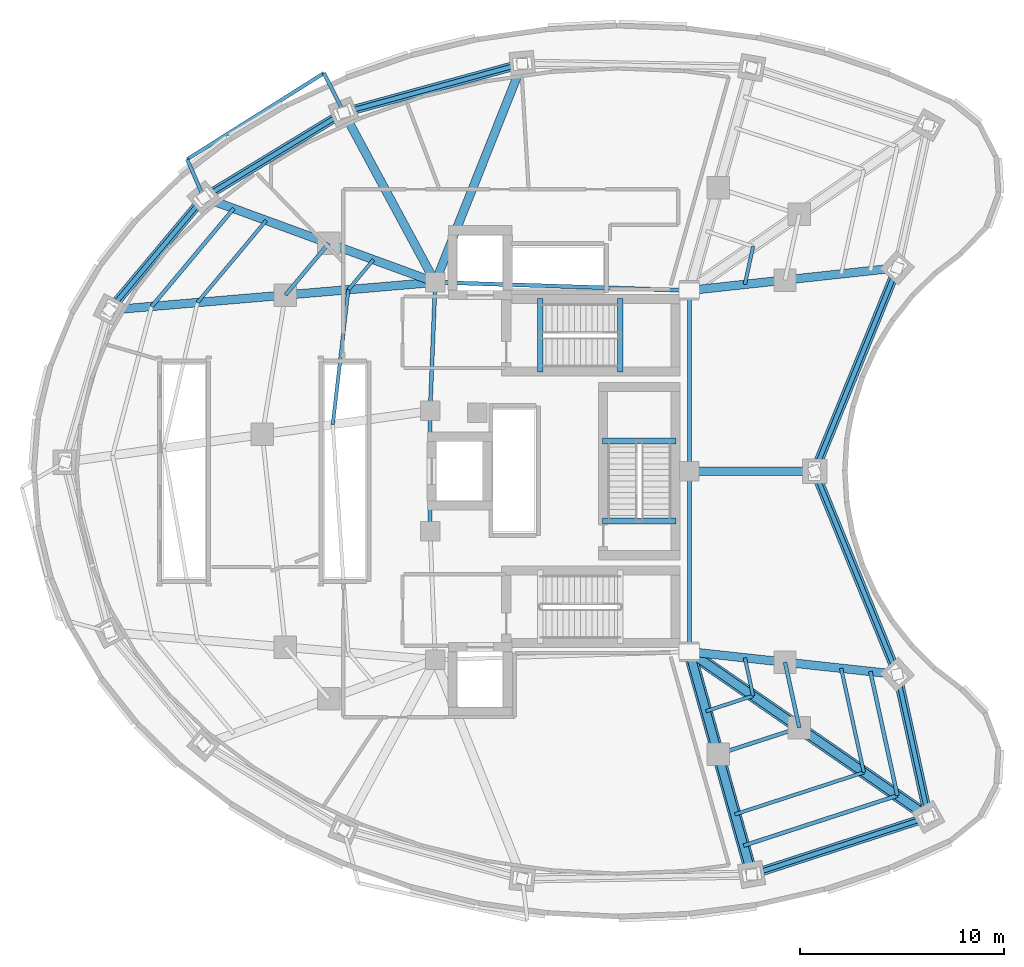
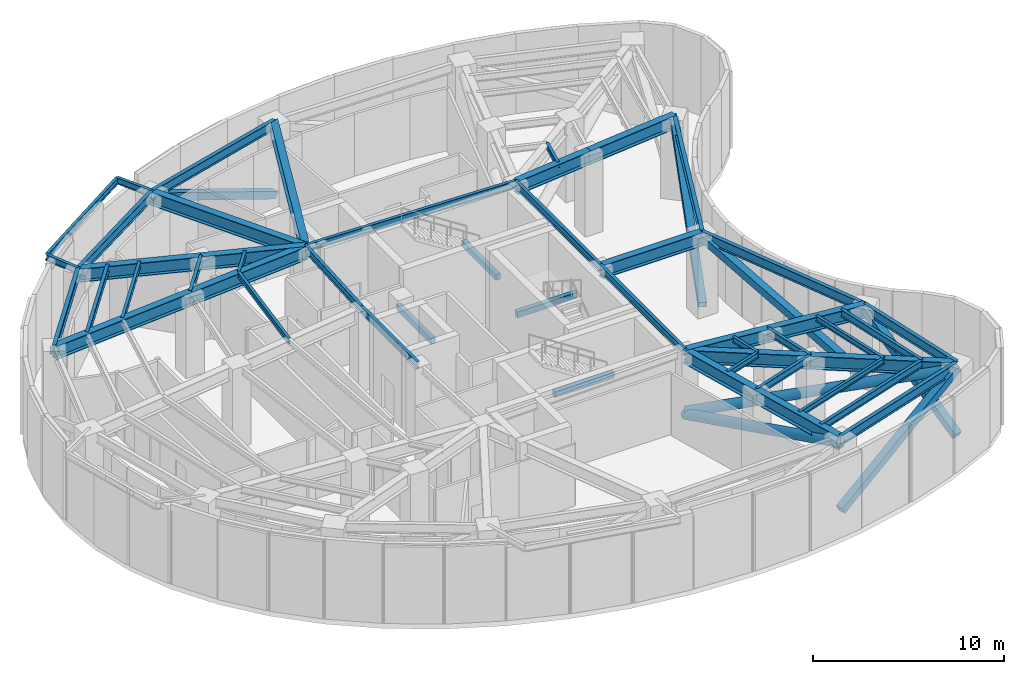
# One storey, part 2 of 10: 48 beams, 9 members.
"""IFC4 building model written with IfcOpenShell, lengths in metres."""

from ifc_helpers import new_model, si_unit, direction, frame, origin, origin_2d, place, context, subcontext, project, spatial, rectangle, hollow_rectangle, hollow_circle, i_section, extrude, material, material_profile, profile_set, type_object, element, save


model = new_model("IFC4")

# Units and contexts
model_context = context("Model", 3, precision=1e-05, world=origin(), true_north=direction((0.0, 1.0)))
body_context = subcontext(model_context, "Body", "Model", "MODEL_VIEW")
ifc_project = project(units=[si_unit("LENGTHUNIT", "METRE"), si_unit("AREAUNIT", "SQUARE_METRE"), si_unit("VOLUMEUNIT", "CUBIC_METRE"), si_unit("PLANEANGLEUNIT", "RADIAN"), si_unit("MASSUNIT", "GRAM", prefix="KILO")], contexts=[model_context])

# Site, building, storey
site_placement = place(None, origin())
site = spatial("IfcSite", under=ifc_project, at=site_placement, CompositionType="ELEMENT")
building_placement = place(site_placement, origin())
building = spatial("IfcBuilding", under=site, at=building_placement, Name="Korentha Bioscience Tower", CompositionType="ELEMENT")
storey_placement = place(building_placement, frame((0.0, 0.0, 84.60009765625)))
storey = spatial("IfcBuildingStorey", under=building, at=storey_placement, Name="L19", CompositionType="ELEMENT", Elevation=84.60009765625)

# Members
ifc_material_1 = material(Name="Steel S355", Category="steel")
ifc_material_profile_1 = material_profile(ifc_material_1, hollow_rectangle(XDim=0.449951171875, YDim=0.449951171875, WallThickness=0.02490234375, at=origin_2d()), Name="Steel S355")
ifc_profile_set_1 = profile_set([ifc_material_profile_1], Name="Steel S355 (BT-D450)")
member_type_1 = type_object("IfcMemberType", Name="Belt-Truss Web Diagonal SHS 450x450x25", PredefinedType="BRACE", material=ifc_profile_set_1)
member_1_placement = place(storey_placement, frame((29.3642578125, 46.959228515625, 0.349853515625), z_axis=(-0.867913883916, -0.23707366715, 0.436487762084), x_axis=(0.263500034431, -0.964659386444, 0.0)))
element("IfcMember", 1, at=member_1_placement, inside=storey, type_object=member_type_1, Name="L19 Perimeter Belt-Truss Diagonal 03", PredefinedType="BRACE", context=body_context, shape_type="SweptSolid", body=[
    extrude(hollow_rectangle(XDim=0.449951171875, YDim=0.449951171875, WallThickness=0.02490234375, at=origin_2d()), origin(), (0.0, 0.0, 1.0), 10.080810546875),
])
member_2_placement = place(storey_placement, frame((20.614990234375, 44.5693359375, 0.349853515625), z_axis=(-0.749231248475, -0.455535373312, 0.480770277753), x_axis=(0.51951547649, -0.854461040474, 0.0)))
element("IfcMember", 2, at=member_2_placement, inside=storey, type_object=member_type_1, Name="L19 Perimeter Belt-Truss Diagonal 04", PredefinedType="BRACE", context=body_context, shape_type="SweptSolid", body=[
    extrude(hollow_rectangle(XDim=0.449951171875, YDim=0.449951171875, WallThickness=0.02490234375, at=origin_2d()), origin(), (0.0, 0.0, 1.0), 9.15234375),
])
member_3_placement = place(storey_placement, frame((13.7578125, 40.400146484375, 0.349853515625), z_axis=(-0.547672875335, -0.653835729733, 0.522066336921), x_axis=(0.76659864726, -0.642126556076, 0.0)))
element("IfcMember", 3, at=member_3_placement, inside=storey, type_object=member_type_1, Name="L19 Perimeter Belt-Truss Diagonal 05", PredefinedType="BRACE", context=body_context, shape_type="SweptSolid", body=[
    extrude(hollow_rectangle(XDim=0.449951171875, YDim=0.449951171875, WallThickness=0.02490234375, at=origin_2d()), origin(), (0.0, 0.0, 1.0), 8.42822265625),
])
member_4_placement = place(storey_placement, frame((40.604248046875, 7.235107421875, 0.349853515625), z_axis=(0.856076773076, 0.278733902644, 0.435247021951), x_axis=(-0.309597327755, 0.950867758759, 0.0)))
element("IfcMember", 4, at=member_4_placement, inside=storey, type_object=member_type_1, Name="L19 Perimeter Belt-Truss Diagonal 12", PredefinedType="BRACE", context=body_context, shape_type="SweptSolid", body=[
    extrude(hollow_rectangle(XDim=0.449951171875, YDim=0.449951171875, WallThickness=0.02490234375, at=origin_2d()), origin(), (0.0, 0.0, 1.0), 10.109619140625),
])
member_5_placement = place(storey_placement, frame((49.2587890625, 10.052978515625, 0.349853515625), z_axis=(-0.181348517584, 0.832162028739, 0.524041098671), x_axis=(-0.977068088275, -0.212927102256, 0.0)))
element("IfcMember", 5, at=member_5_placement, inside=storey, type_object=member_type_1, Name="L19 Perimeter Belt-Truss Diagonal 13", PredefinedType="BRACE", context=body_context, shape_type="SweptSolid", body=[
    extrude(hollow_rectangle(XDim=0.449951171875, YDim=0.449951171875, WallThickness=0.02490234375, at=origin_2d()), origin(), (0.0, 0.0, 1.0), 8.396484375),
])
for number, where, z_axis, x_axis, name in (
    (6, (47.736083984375, 17.040283203125, 0.349853515625), (-0.349011766109, 0.857190547768, 0.378701930198), (-0.926173134876, -0.37709856037, 0.0), "L19 Perimeter Belt-Truss Diagonal 14"),
    (7, (43.680908203125, 27.0, 0.349853515625), (0.349011766109, 0.857190547768, 0.378701930198), (-0.926173134876, 0.37709856037, 0.0), "L19 Perimeter Belt-Truss Diagonal 15"),
):
    element("IfcMember", number, at=place(storey_placement, frame(where, z_axis=z_axis, x_axis=x_axis)), inside=storey, type_object=member_type_1, Name=name, PredefinedType="BRACE", context=body_context, shape_type="SweptSolid", body=[
        extrude(hollow_rectangle(XDim=0.449951171875, YDim=0.449951171875, WallThickness=0.02490234375, at=origin_2d()), origin(), (0.0, 0.0, 1.0), 11.619140625),
    ])

# Beams
ifc_material_2 = material(Name="Concrete C50", Category="concrete")
ifc_material_profile_2 = material_profile(ifc_material_2, rectangle(XDim=0.280029296875, YDim=0.3798828125, at=origin_2d()), Name="Concrete C50")
ifc_profile_set_2 = profile_set([ifc_material_profile_2], Name="Concrete C50 (ST-HB380)")
beam_type_1 = type_object("IfcBeamType", Name="Concrete Stair Header Beam RC 280x380", PredefinedType="BEAM", material=ifc_profile_set_2)
for number, where, z_axis, x_axis, name in (
    (8, (30.25, 31.85009765625, -0.190185546875), (0.0, 1.0, 0.0), (-1.0, 0.0, 0.0), "L19 ST-1 Concrete Stair Header Beam"),
    (9, (34.169921875, 31.85009765625, 2.510009765625), (0.0, 1.0, 0.0), (-1.0, 0.0, 0.0), "L19 ST-1 Half-Landing Header Beam 1"),
    (10, (36.89990234375, 24.550048828125, -0.190185546875), (-1.0, 0.0, 0.0), (0.0, -1.0, 0.0), "L19 ST-3 Concrete Stair Header Beam"),
    (11, (36.89990234375, 28.469970703125, 2.510009765625), (-1.0, 0.0, 0.0), (0.0, -1.0, 0.0), "L19 ST-3 Half-Landing Header Beam 1"),
):
    element("IfcBeam", number, at=place(storey_placement, frame(where, z_axis=z_axis, x_axis=x_axis)), inside=storey, type_object=beam_type_1, Name=name, PredefinedType="BEAM", context=body_context, shape_type="SweptSolid", body=[
        extrude(rectangle(XDim=0.280029296875, YDim=0.3798828125, at=origin_2d()), origin(), (0.0, 0.0, 1.0), 3.599853515625),
    ])
ifc_material_profile_3 = material_profile(ifc_material_1, i_section(OverallWidth=0.18994140625, OverallDepth=0.45703125, WebThickness=0.009033203125, FlangeThickness=0.014404296875, at=origin_2d()), Name="Steel S355")
ifc_profile_set_3 = profile_set([ifc_material_profile_3], Name="Steel S355 (MB-460)")
beam_type_2 = type_object("IfcBeamType", Name="Mid-Ring Tie Girder W460x74", PredefinedType="BEAM", material=ifc_profile_set_3)
beam_1_placement = place(storey_placement, frame((19.882568359375, 38.158935546875, 4.871337890625), z_axis=(-0.642121371708, -0.766602989817, 0.0), x_axis=(0.766602989817, -0.642121371708, 0.0)))
element("IfcBeam", 12, at=beam_1_placement, inside=storey, type_object=beam_type_2, Name="L19 Mid-Ring Tie Girder 05", PredefinedType="BEAM", context=body_context, shape_type="SweptSolid", body=[
    extrude(i_section(OverallWidth=0.18994140625, OverallDepth=0.45703125, WebThickness=0.009033203125, FlangeThickness=0.014404296875, at=origin_2d()), origin(), (0.0, 0.0, 1.0), 3.306640625),
])
beam_2_placement = place(storey_placement, frame((38.954833984375, 13.129150390625, 4.871337890625), z_axis=(0.95087582253, 0.309572560361, 0.0), x_axis=(-0.309572560361, 0.95087582253, 0.0)))
element("IfcBeam", 13, at=beam_2_placement, inside=storey, type_object=beam_type_2, Name="L19 Mid-Ring Tie Girder 12", PredefinedType="BEAM", context=body_context, shape_type="SweptSolid", body=[
    extrude(i_section(OverallWidth=0.18994140625, OverallDepth=0.45703125, WebThickness=0.009033203125, FlangeThickness=0.014404296875, at=origin_2d()), origin(), (0.0, 0.0, 1.0), 4.186767578125),
])
beam_3_placement = place(storey_placement, frame((42.93603515625, 14.42529296875, 4.871337890625), z_axis=(-0.212928773299, 0.977067724112, 0.0), x_axis=(-0.977067724112, -0.212928773299, 0.0)))
element("IfcBeam", 14, at=beam_3_placement, inside=storey, type_object=beam_type_2, Name="L19 Mid-Ring Tie Girder 13", PredefinedType="BEAM", context=body_context, shape_type="SweptSolid", body=[
    extrude(i_section(OverallWidth=0.18994140625, OverallDepth=0.45703125, WebThickness=0.009033203125, FlangeThickness=0.014404296875, at=origin_2d()), origin(), (0.0, 0.0, 1.0), 3.28955078125),
])
beam_4_placement = place(storey_placement, frame((37.550048828125, 35.85009765625, 4.871337890625), z_axis=(-0.999484526071, 0.032104238723, 0.0), x_axis=(-0.032104238723, -0.999484526071, 0.0)))
element("IfcBeam", 15, at=beam_4_placement, inside=storey, type_object=beam_type_2, Name="L19 Core Ring Tie Girder 01", PredefinedType="BEAM", context=body_context, shape_type="SweptSolid", body=[
    extrude(i_section(OverallWidth=0.18994140625, OverallDepth=0.45703125, WebThickness=0.009033203125, FlangeThickness=0.014404296875, at=origin_2d()), origin(), (0.0, 0.0, 1.0), 12.456298828125),
])
beam_5_placement = place(storey_placement, frame((25.10009765625, 36.25, 4.871337890625), z_axis=(-0.039651025576, -0.999213588864, 0.0), x_axis=(0.999213588864, -0.039651025576, 0.0)))
element("IfcBeam", 16, at=beam_5_placement, inside=storey, type_object=beam_type_2, Name="L19 Core Ring Tie Girder 02", PredefinedType="BEAM", context=body_context, shape_type="SweptSolid", body=[
    extrude(i_section(OverallWidth=0.18994140625, OverallDepth=0.45703125, WebThickness=0.009033203125, FlangeThickness=0.014404296875, at=origin_2d()), origin(), (0.0, 0.0, 1.0), 6.304931640625),
])
beam_6_placement = place(storey_placement, frame((24.85009765625, 29.949951171875, 4.871337890625), z_axis=(0.0, -1.0, 0.0), x_axis=(1.0, 0.0, 0.0)))
element("IfcBeam", 17, at=beam_6_placement, inside=storey, type_object=beam_type_2, Name="L19 Core Ring Tie Girder 03", PredefinedType="BEAM", context=body_context, shape_type="SweptSolid", body=[
    extrude(i_section(OverallWidth=0.18994140625, OverallDepth=0.45703125, WebThickness=0.009033203125, FlangeThickness=0.014404296875, at=origin_2d()), origin(), (0.0, 0.0, 1.0), 5.89990234375),
])
for number, where, z_axis, x_axis, name in (
    (18, (37.550048828125, 18.14990234375, 4.871337890625), (0.0, 1.0, 0.0), (-1.0, 0.0, 0.0), "L19 Core Ring Tie Girder 06"),
    (19, (37.550048828125, 27.0, 4.871337890625), (0.0, 1.0, 0.0), (-1.0, 0.0, 0.0), "L19 Core Ring Tie Girder 07"),
):
    element("IfcBeam", number, at=place(storey_placement, frame(where, z_axis=z_axis, x_axis=x_axis)), inside=storey, type_object=beam_type_2, Name=name, PredefinedType="BEAM", context=body_context, shape_type="SweptSolid", body=[
        extrude(i_section(OverallWidth=0.18994140625, OverallDepth=0.45703125, WebThickness=0.009033203125, FlangeThickness=0.014404296875, at=origin_2d()), origin(), (0.0, 0.0, 1.0), 8.85009765625),
    ])

# Members
ifc_material_profile_4 = material_profile(ifc_material_1, hollow_circle(Radius=0.304931640625, WallThickness=0.030029296875, at=origin_2d()), Name="Steel S355")
ifc_profile_set_4 = profile_set([ifc_material_profile_4], Name="Steel S355 (OU-610)")
member_type_2 = type_object("IfcMemberType", Name="Outrigger Diagonal Brace CHS 610x30", PredefinedType="USERDEFINED", material=ifc_profile_set_4)
member_6_placement = place(storey_placement, frame((37.550048828125, 18.14990234375, 0.89990234375), z_axis=(0.255831668636, -0.914265900057, 0.31411466269), x_axis=(0.963008525631, 0.269470925261, 0.0)))
element("IfcMember", 20, at=member_6_placement, inside=storey, type_object=member_type_2, Name="L19 Outrigger Truss Diagonal 03", ObjectType="OUTRIGGER", PredefinedType="USERDEFINED", context=body_context, shape_type="SweptSolid", body=[
    extrude(hollow_circle(Radius=0.304931640625, WallThickness=0.030029296875, at=origin_2d()), origin(), (0.0, 0.0, 1.0), 11.938232421875),
])
member_7_placement = place(storey_placement, frame((37.550048828125, 18.14990234375, 1.0498046875), z_axis=(0.797388936653, -0.551416920372, 0.24517394566), x_axis=(0.568776487431, 0.822492132088, 0.0)))
element("IfcMember", 21, at=member_7_placement, inside=storey, type_object=member_type_2, Name="L19 Outrigger Truss Diagonal 04", ObjectType="OUTRIGGER", PredefinedType="USERDEFINED", context=body_context, shape_type="SweptSolid", body=[
    extrude(hollow_circle(Radius=0.304931640625, WallThickness=0.030029296875, at=origin_2d()), origin(), (0.0, 0.0, 1.0), 14.683837890625),
])

# Beams
ifc_material_profile_5 = material_profile(ifc_material_1, i_section(OverallWidth=0.22802734375, OverallDepth=0.60791015625, WebThickness=0.01123046875, FlangeThickness=0.017333984375, at=origin_2d()), Name="Steel S355")
ifc_profile_set_5 = profile_set([ifc_material_profile_5], Name="Steel S355 (SB-610)")
beam_type_3 = type_object("IfcBeamType", Name="Perimeter Ring Spandrel Girder W610x113", PredefinedType="SPANDREL", material=ifc_profile_set_5)
beam_7_placement = place(storey_placement, frame((29.3642578125, 46.959228515625, 4.7958984375), z_axis=(-0.964659386444, -0.263500034431, 0.0), x_axis=(0.263500034431, -0.964659386444, 0.0)))
element("IfcBeam", 22, at=beam_7_placement, inside=storey, type_object=beam_type_3, Name="L19 Perimeter Spandrel Girder 03", PredefinedType="SPANDREL", context=body_context, shape_type="SweptSolid", body=[
    extrude(i_section(OverallWidth=0.22802734375, OverallDepth=0.60791015625, WebThickness=0.01123046875, FlangeThickness=0.017333984375, at=origin_2d()), origin(), (0.0, 0.0, 1.0), 9.06982421875),
])
beam_8_placement = place(storey_placement, frame((20.614990234375, 44.5693359375, 4.7958984375), z_axis=(-0.854461040474, -0.51951547649, 0.0), x_axis=(0.51951547649, -0.854461040474, 0.0)))
element("IfcBeam", 23, at=beam_8_placement, inside=storey, type_object=beam_type_3, Name="L19 Perimeter Spandrel Girder 04", PredefinedType="SPANDREL", context=body_context, shape_type="SweptSolid", body=[
    extrude(i_section(OverallWidth=0.22802734375, OverallDepth=0.60791015625, WebThickness=0.01123046875, FlangeThickness=0.017333984375, at=origin_2d()), origin(), (0.0, 0.0, 1.0), 8.025146484375),
])
beam_9_placement = place(storey_placement, frame((13.7578125, 40.400146484375, 4.7958984375), z_axis=(-0.642126556076, -0.76659864726, 0.0), x_axis=(0.76659864726, -0.642126556076, 0.0)))
element("IfcBeam", 24, at=beam_9_placement, inside=storey, type_object=beam_type_3, Name="L19 Perimeter Spandrel Girder 05", PredefinedType="SPANDREL", context=body_context, shape_type="SweptSolid", body=[
    extrude(i_section(OverallWidth=0.22802734375, OverallDepth=0.60791015625, WebThickness=0.01123046875, FlangeThickness=0.017333984375, at=origin_2d()), origin(), (0.0, 0.0, 1.0), 7.1884765625),
])
beam_10_placement = place(storey_placement, frame((40.604248046875, 7.235107421875, 4.7958984375), z_axis=(0.950867758759, 0.309597327755, 0.0), x_axis=(-0.309597327755, 0.950867758759, 0.0)))
element("IfcBeam", 25, at=beam_10_placement, inside=storey, type_object=beam_type_3, Name="L19 Perimeter Spandrel Girder 12", PredefinedType="SPANDREL", context=body_context, shape_type="SweptSolid", body=[
    extrude(i_section(OverallWidth=0.22802734375, OverallDepth=0.60791015625, WebThickness=0.01123046875, FlangeThickness=0.017333984375, at=origin_2d()), origin(), (0.0, 0.0, 1.0), 9.101806640625),
])
beam_11_placement = place(storey_placement, frame((49.2587890625, 10.052978515625, 4.7958984375), z_axis=(-0.212927102256, 0.977068088275, 0.0), x_axis=(-0.977068088275, -0.212927102256, 0.0)))
element("IfcBeam", 26, at=beam_11_placement, inside=storey, type_object=beam_type_3, Name="L19 Perimeter Spandrel Girder 13", PredefinedType="SPANDREL", context=body_context, shape_type="SweptSolid", body=[
    extrude(i_section(OverallWidth=0.22802734375, OverallDepth=0.60791015625, WebThickness=0.01123046875, FlangeThickness=0.017333984375, at=origin_2d()), origin(), (0.0, 0.0, 1.0), 7.1513671875),
])
for number, where, z_axis, x_axis, name in (
    (27, (47.736083984375, 17.040283203125, 4.7958984375), (-0.37709856037, 0.926173134876, 0.0), (-0.926173134876, -0.37709856037, 0.0), "L19 Perimeter Spandrel Girder 14"),
    (28, (43.680908203125, 27.0, 4.7958984375), (0.37709856037, 0.926173134876, 0.0), (-0.926173134876, 0.37709856037, 0.0), "L19 Perimeter Spandrel Girder 15"),
):
    element("IfcBeam", number, at=place(storey_placement, frame(where, z_axis=z_axis, x_axis=x_axis)), inside=storey, type_object=beam_type_3, Name=name, PredefinedType="SPANDREL", context=body_context, shape_type="SweptSolid", body=[
        extrude(i_section(OverallWidth=0.22802734375, OverallDepth=0.60791015625, WebThickness=0.01123046875, FlangeThickness=0.017333984375, at=origin_2d()), origin(), (0.0, 0.0, 1.0), 10.753662109375),
    ])
ifc_material_profile_6 = material_profile(ifc_material_1, i_section(OverallWidth=0.419921875, OverallDepth=0.85009765625, WebThickness=0.01806640625, FlangeThickness=0.031982421875, at=origin_2d()), Name="Steel S355")
ifc_profile_set_6 = profile_set([ifc_material_profile_6], Name="Steel S355 (MB-850)")
beam_type_4 = type_object("IfcBeamType", Name="Plant Heavy Girder CVS 850x315", PredefinedType="BEAM", material=ifc_profile_set_6)
beam_12_placement = place(storey_placement, frame((25.10009765625, 36.25, 4.6748046875), z_axis=(0.369929528493, 0.929059817207, 0.0), x_axis=(-0.929059817207, 0.369929528493, 0.0)))
element("IfcBeam", 29, at=beam_12_placement, inside=storey, type_object=beam_type_4, Name="L19 Radial Girder 03", PredefinedType="BEAM", context=body_context, shape_type="SweptSolid", body=[
    extrude(i_section(OverallWidth=0.419921875, OverallDepth=0.85009765625, WebThickness=0.01806640625, FlangeThickness=0.031982421875, at=origin_2d()), origin(), (0.0, 0.0, 1.0), 11.52685546875),
])
beam_13_placement = place(storey_placement, frame((25.10009765625, 36.25, 4.6748046875), z_axis=(-0.474548018732, 0.880229616587, 0.0), x_axis=(-0.880229616587, -0.474548018732, 0.0)))
element("IfcBeam", 30, at=beam_13_placement, inside=storey, type_object=beam_type_4, Name="L19 Radial Girder 04", PredefinedType="BEAM", context=body_context, shape_type="SweptSolid", body=[
    extrude(i_section(OverallWidth=0.419921875, OverallDepth=0.85009765625, WebThickness=0.01806640625, FlangeThickness=0.031982421875, at=origin_2d()), origin(), (0.0, 0.0, 1.0), 9.451416015625),
])
beam_14_placement = place(storey_placement, frame((25.10009765625, 36.25, 4.6748046875), z_axis=(-0.939118010396, 0.343594765022, 0.0), x_axis=(-0.343594765022, -0.939118010396, 0.0)))
element("IfcBeam", 31, at=beam_14_placement, inside=storey, type_object=beam_type_4, Name="L19 Inner Radial Girder 05", PredefinedType="BEAM", context=body_context, shape_type="SweptSolid", body=[
    extrude(i_section(OverallWidth=0.419921875, OverallDepth=0.85009765625, WebThickness=0.01806640625, FlangeThickness=0.031982421875, at=origin_2d()), origin(), (0.0, 0.0, 1.0), 5.5556640625),
])
beam_15_placement = place(storey_placement, frame((19.882568359375, 38.158935546875, 4.6748046875), z_axis=(-0.939100755225, 0.343641923425, 0.0), x_axis=(-0.343641923425, -0.939100755225, 0.0)))
element("IfcBeam", 32, at=beam_15_placement, inside=storey, type_object=beam_type_4, Name="L19 Outer Radial Girder 05", PredefinedType="BEAM", context=body_context, shape_type="SweptSolid", body=[
    extrude(i_section(OverallWidth=0.419921875, OverallDepth=0.85009765625, WebThickness=0.01806640625, FlangeThickness=0.031982421875, at=origin_2d()), origin(), (0.0, 0.0, 1.0), 6.52197265625),
])
beam_16_placement = place(storey_placement, frame((25.10009765625, 36.25, 4.6748046875), z_axis=(-0.996383934197, -0.084965026183, 0.0), x_axis=(0.084965026183, -0.996383934197, 0.0)))
element("IfcBeam", 33, at=beam_16_placement, inside=storey, type_object=beam_type_4, Name="L19 Inner Radial Girder 06", PredefinedType="BEAM", context=body_context, shape_type="SweptSolid", body=[
    extrude(i_section(OverallWidth=0.419921875, OverallDepth=0.85009765625, WebThickness=0.01806640625, FlangeThickness=0.031982421875, at=origin_2d()), origin(), (0.0, 0.0, 1.0), 7.367431640625),
])
beam_17_placement = place(storey_placement, frame((17.75927734375, 35.6240234375, 4.6748046875), z_axis=(-0.996386071548, -0.084939957767, 0.0), x_axis=(0.084939957767, -0.996386071548, 0.0)))
element("IfcBeam", 34, at=beam_17_placement, inside=storey, type_object=beam_type_4, Name="L19 Outer Radial Girder 06", PredefinedType="BEAM", context=body_context, shape_type="SweptSolid", body=[
    extrude(i_section(OverallWidth=0.419921875, OverallDepth=0.85009765625, WebThickness=0.01806640625, FlangeThickness=0.031982421875, at=origin_2d()), origin(), (0.0, 0.0, 1.0), 8.648681640625),
])
beam_18_placement = place(storey_placement, frame((37.550048828125, 18.14990234375, 4.6748046875), z_axis=(0.269447542125, -0.96301506844, 0.0), x_axis=(0.96301506844, 0.269447542125, 0.0)))
element("IfcBeam", 35, at=beam_18_placement, inside=storey, type_object=beam_type_4, Name="L19 Inner Radial Girder 12", PredefinedType="BEAM", context=body_context, shape_type="SweptSolid", body=[
    extrude(i_section(OverallWidth=0.419921875, OverallDepth=0.85009765625, WebThickness=0.01806640625, FlangeThickness=0.031982421875, at=origin_2d()), origin(), (0.0, 0.0, 1.0), 5.213623046875),
])
beam_19_placement = place(storey_placement, frame((38.954833984375, 13.129150390625, 4.6748046875), z_axis=(0.269490843458, -0.963002951861, 0.0), x_axis=(0.963002951861, 0.269490843458, 0.0)))
element("IfcBeam", 36, at=beam_19_placement, inside=storey, type_object=beam_type_4, Name="L19 Outer Radial Girder 12", PredefinedType="BEAM", context=body_context, shape_type="SweptSolid", body=[
    extrude(i_section(OverallWidth=0.419921875, OverallDepth=0.85009765625, WebThickness=0.01806640625, FlangeThickness=0.031982421875, at=origin_2d()), origin(), (0.0, 0.0, 1.0), 6.120361328125),
])
beam_20_placement = place(storey_placement, frame((37.550048828125, 18.14990234375, 4.6748046875), z_axis=(0.822488699387, -0.568781451333, 0.0), x_axis=(0.568781451333, 0.822488699387, 0.0)))
element("IfcBeam", 37, at=beam_20_placement, inside=storey, type_object=beam_type_4, Name="L19 Inner Radial Girder 13", PredefinedType="BEAM", context=body_context, shape_type="SweptSolid", body=[
    extrude(i_section(OverallWidth=0.419921875, OverallDepth=0.85009765625, WebThickness=0.01806640625, FlangeThickness=0.031982421875, at=origin_2d()), origin(), (0.0, 0.0, 1.0), 6.54833984375),
])
beam_21_placement = place(storey_placement, frame((42.93603515625, 14.42529296875, 4.6748046875), z_axis=(0.822495056204, -0.568772258922, 0.0), x_axis=(0.568772258922, 0.822495056204, 0.0)))
element("IfcBeam", 38, at=beam_21_placement, inside=storey, type_object=beam_type_4, Name="L19 Outer Radial Girder 13", PredefinedType="BEAM", context=body_context, shape_type="SweptSolid", body=[
    extrude(i_section(OverallWidth=0.419921875, OverallDepth=0.85009765625, WebThickness=0.01806640625, FlangeThickness=0.031982421875, at=origin_2d()), origin(), (0.0, 0.0, 1.0), 7.687255859375),
])
beam_22_placement = place(storey_placement, frame((37.550048828125, 18.14990234375, 4.6748046875), z_axis=(0.994117092476, -0.108310694058, 0.0), x_axis=(0.108310694058, 0.994117092476, 0.0)))
element("IfcBeam", 39, at=beam_22_placement, inside=storey, type_object=beam_type_4, Name="L19 Inner Radial Girder 14", PredefinedType="BEAM", context=body_context, shape_type="SweptSolid", body=[
    extrude(i_section(OverallWidth=0.419921875, OverallDepth=0.85009765625, WebThickness=0.01806640625, FlangeThickness=0.031982421875, at=origin_2d()), origin(), (0.0, 0.0, 1.0), 4.71337890625),
])
beam_23_placement = place(storey_placement, frame((42.235595703125, 17.639404296875, 4.6748046875), z_axis=(0.994120325557, -0.108281015487, 0.0), x_axis=(0.108281015487, 0.994120325557, 0.0)))
element("IfcBeam", 40, at=beam_23_placement, inside=storey, type_object=beam_type_4, Name="L19 Outer Radial Girder 14", PredefinedType="BEAM", context=body_context, shape_type="SweptSolid", body=[
    extrude(i_section(OverallWidth=0.419921875, OverallDepth=0.85009765625, WebThickness=0.01806640625, FlangeThickness=0.031982421875, at=origin_2d()), origin(), (0.0, 0.0, 1.0), 5.532958984375),
])
beam_24_placement = place(storey_placement, frame((37.550048828125, 27.0, 4.6748046875), z_axis=(1.0, 0.0, 0.0), x_axis=(0.0, 1.0, 0.0)))
element("IfcBeam", 41, at=beam_24_placement, inside=storey, type_object=beam_type_4, Name="L19 Radial Girder 15", PredefinedType="BEAM", context=body_context, shape_type="SweptSolid", body=[
    extrude(i_section(OverallWidth=0.419921875, OverallDepth=0.85009765625, WebThickness=0.01806640625, FlangeThickness=0.031982421875, at=origin_2d()), origin(), (0.0, 0.0, 1.0), 6.130859375),
])
beam_25_placement = place(storey_placement, frame((37.550048828125, 35.85009765625, 4.6748046875), z_axis=(0.994117092476, 0.108310694058, 0.0), x_axis=(-0.108310694058, 0.994117092476, 0.0)))
element("IfcBeam", 42, at=beam_25_placement, inside=storey, type_object=beam_type_4, Name="L19 Inner Radial Girder 16", PredefinedType="BEAM", context=body_context, shape_type="SweptSolid", body=[
    extrude(i_section(OverallWidth=0.419921875, OverallDepth=0.85009765625, WebThickness=0.01806640625, FlangeThickness=0.031982421875, at=origin_2d()), origin(), (0.0, 0.0, 1.0), 4.71337890625),
])
beam_26_placement = place(storey_placement, frame((42.235595703125, 36.360595703125, 4.6748046875), z_axis=(0.994120325557, 0.108281015487, 0.0), x_axis=(-0.108281015487, 0.994120325557, 0.0)))
element("IfcBeam", 43, at=beam_26_placement, inside=storey, type_object=beam_type_4, Name="L19 Outer Radial Girder 16", PredefinedType="BEAM", context=body_context, shape_type="SweptSolid", body=[
    extrude(i_section(OverallWidth=0.419921875, OverallDepth=0.85009765625, WebThickness=0.01806640625, FlangeThickness=0.031982421875, at=origin_2d()), origin(), (0.0, 0.0, 1.0), 5.532958984375),
])
ifc_material_profile_7 = material_profile(ifc_material_1, i_section(OverallWidth=0.18994140625, OverallDepth=0.45703125, WebThickness=0.009033203125, FlangeThickness=0.014404296875, at=origin_2d()), Name="Steel S355")
ifc_profile_set_7 = profile_set([ifc_material_profile_7], Name="Steel S355 (RB-460)")
beam_type_5 = type_object("IfcBeamType", Name="Radial Laboratory Beam W460x74", PredefinedType="BEAM", material=ifc_profile_set_7)
beam_27_placement = place(storey_placement, frame((15.227783203125, 39.8623046875, 4.871337890625), z_axis=(-0.642128156066, -0.766597307057, 0.0), x_axis=(0.766597307057, -0.642128156066, 0.0)))
element("IfcBeam", 44, at=beam_27_placement, inside=storey, type_object=beam_type_5, Name="L19 Secondary Floor Beam JSTO-05", PredefinedType="BEAM", context=body_context, shape_type="SweptSolid", body=[
    extrude(i_section(OverallWidth=0.18994140625, OverallDepth=0.45703125, WebThickness=0.009033203125, FlangeThickness=0.014404296875, at=origin_2d()), origin(), (0.0, 0.0, 1.0), 6.257080078125),
])
beam_28_placement = place(storey_placement, frame((40.20849609375, 8.64990234375, 4.871337890625), z_axis=(0.950866789802, 0.3096003037, 0.0), x_axis=(-0.3096003037, 0.950866789802, 0.0)))
element("IfcBeam", 45, at=beam_28_placement, inside=storey, type_object=beam_type_5, Name="L19 Secondary Floor Beam JSTO-12", PredefinedType="BEAM", context=body_context, shape_type="SweptSolid", body=[
    extrude(i_section(OverallWidth=0.18994140625, OverallDepth=0.45703125, WebThickness=0.009033203125, FlangeThickness=0.014404296875, at=origin_2d()), origin(), (0.0, 0.0, 1.0), 7.921875),
])
beam_29_placement = place(storey_placement, frame((47.7412109375, 11.1025390625, 4.871337890625), z_axis=(-0.21290837934, 0.977072168269, 0.0), x_axis=(-0.977072168269, -0.21290837934, 0.0)))
element("IfcBeam", 46, at=beam_29_placement, inside=storey, type_object=beam_type_5, Name="L19 Secondary Floor Beam JSTO-13", PredefinedType="BEAM", context=body_context, shape_type="SweptSolid", body=[
    extrude(i_section(OverallWidth=0.18994140625, OverallDepth=0.45703125, WebThickness=0.009033203125, FlangeThickness=0.014404296875, at=origin_2d()), origin(), (0.0, 0.0, 1.0), 6.224365234375),
])
ifc_material_profile_8 = material_profile(ifc_material_1, i_section(OverallWidth=0.1708984375, OverallDepth=0.35498046875, WebThickness=0.007080078125, FlangeThickness=0.01171875, at=origin_2d()), Name="Steel S355")
ifc_profile_set_8 = profile_set([ifc_material_profile_8], Name="Steel S355 (JB-360)")
beam_type_6 = type_object("IfcBeamType", Name="Secondary Laboratory Joist W360x51", PredefinedType="JOIST", material=ifc_profile_set_8)
beam_30_placement = place(storey_placement, frame((16.8203125, 39.279541015625, 4.92236328125), z_axis=(-0.642140812018, -0.76658670582, 0.0), x_axis=(0.76658670582, -0.642140812018, 0.0)))
element("IfcBeam", 47, at=beam_30_placement, inside=storey, type_object=beam_type_6, Name="L19 Secondary Floor Beam JST-05", PredefinedType="JOIST", context=body_context, shape_type="SweptSolid", body=[
    extrude(i_section(OverallWidth=0.1708984375, OverallDepth=0.35498046875, WebThickness=0.007080078125, FlangeThickness=0.01171875, at=origin_2d()), origin(), (0.0, 0.0, 1.0), 5.247802734375),
])
beam_31_placement = place(storey_placement, frame((22.073974609375, 37.357177734375, 4.92236328125), z_axis=(-0.64218549873, -0.766549271229, 0.0), x_axis=(0.766549271229, -0.64218549873, 0.0)))
element("IfcBeam", 48, at=beam_31_placement, inside=storey, type_object=beam_type_6, Name="L19 Inner Bay Joist 05", PredefinedType="JOIST", context=body_context, shape_type="SweptSolid", body=[
    extrude(i_section(OverallWidth=0.1708984375, OverallDepth=0.35498046875, WebThickness=0.007080078125, FlangeThickness=0.01171875, at=origin_2d()), origin(), (0.0, 0.0, 1.0), 1.91796875),
])
beam_32_placement = place(storey_placement, frame((20.84228515625, 35.886962890625, 4.92236328125), z_axis=(-0.114512623722, -0.993421793101, 0.0), x_axis=(0.993421793101, -0.114512623722, 0.0)))
element("IfcBeam", 49, at=beam_32_placement, inside=storey, type_object=beam_type_6, Name="L19 Inner Bay Joist 06", PredefinedType="JOIST", context=body_context, shape_type="SweptSolid", body=[
    extrude(i_section(OverallWidth=0.1708984375, OverallDepth=0.35498046875, WebThickness=0.007080078125, FlangeThickness=0.01171875, at=origin_2d()), origin(), (0.0, 0.0, 1.0), 6.649658203125),
])
beam_33_placement = place(storey_placement, frame((39.779541015625, 10.18212890625, 4.92236328125), z_axis=(0.950864890997, 0.309606135387, 0.0), x_axis=(-0.309606135387, 0.950864890997, 0.0)))
element("IfcBeam", 50, at=beam_33_placement, inside=storey, type_object=beam_type_6, Name="L19 Secondary Floor Beam JST-12", PredefinedType="JOIST", context=body_context, shape_type="SweptSolid", body=[
    extrude(i_section(OverallWidth=0.1708984375, OverallDepth=0.35498046875, WebThickness=0.007080078125, FlangeThickness=0.01171875, at=origin_2d()), origin(), (0.0, 0.0, 1.0), 6.644287109375),
])
beam_34_placement = place(storey_placement, frame((38.36474609375, 15.23779296875, 4.92236328125), z_axis=(0.950852158547, 0.30964523666, 0.0), x_axis=(-0.30964523666, 0.950852158547, 0.0)))
element("IfcBeam", 51, at=beam_34_placement, inside=storey, type_object=beam_type_6, Name="L19 Inner Bay Joist 12", PredefinedType="JOIST", context=body_context, shape_type="SweptSolid", body=[
    extrude(i_section(OverallWidth=0.1708984375, OverallDepth=0.35498046875, WebThickness=0.007080078125, FlangeThickness=0.01171875, at=origin_2d()), origin(), (0.0, 0.0, 1.0), 2.428466796875),
])
beam_35_placement = place(storey_placement, frame((46.097412109375, 12.2392578125, 4.92236328125), z_axis=(-0.212932493609, 0.977066913351, 0.0), x_axis=(-0.977066913351, -0.212932493609, 0.0)))
element("IfcBeam", 52, at=beam_35_placement, inside=storey, type_object=beam_type_6, Name="L19 Secondary Floor Beam JST-13", PredefinedType="JOIST", context=body_context, shape_type="SweptSolid", body=[
    extrude(i_section(OverallWidth=0.1708984375, OverallDepth=0.35498046875, WebThickness=0.007080078125, FlangeThickness=0.01171875, at=origin_2d()), origin(), (0.0, 0.0, 1.0), 5.22021484375),
])
for number, where, z_axis, x_axis, name in (
    (53, (40.673828125, 15.98974609375, 4.92236328125), (-0.212918344001, 0.977069996872, 0.0), (-0.977069996872, -0.212918344001, 0.0), "L19 Inner Bay Joist 13"),
    (54, (40.267578125, 36.14599609375, 4.92236328125), (0.212918344001, 0.977069996872, 0.0), (-0.977069996872, 0.212918344001, 0.0), "L19 Inner Bay Joist 16"),
):
    element("IfcBeam", number, at=place(storey_placement, frame(where, z_axis=z_axis, x_axis=x_axis)), inside=storey, type_object=beam_type_6, Name=name, PredefinedType="JOIST", context=body_context, shape_type="SweptSolid", body=[
        extrude(i_section(OverallWidth=0.1708984375, OverallDepth=0.35498046875, WebThickness=0.007080078125, FlangeThickness=0.01171875, at=origin_2d()), origin(), (0.0, 0.0, 1.0), 1.907958984375),
    ])
ifc_material_profile_9 = material_profile(ifc_material_1, i_section(OverallWidth=0.177978515625, OverallDepth=0.406982421875, WebThickness=0.0078125, FlangeThickness=0.0126953125, at=origin_2d()), Name="Steel S355")
ifc_profile_set_9 = profile_set([ifc_material_profile_9], Name="Steel S355 (CB-410)")
beam_type_7 = type_object("IfcBeamType", Name="Sun-Ledge Cantilever Beam W410x60", PredefinedType="BEAM", material=ifc_profile_set_9)
beam_36_placement = place(storey_placement, frame((20.614990234375, 44.5693359375, 4.8984375), z_axis=(-0.44852697991, 0.893769292543, 0.0), x_axis=(-0.893769292543, -0.44852697991, 0.0)))
element("IfcBeam", 55, at=beam_36_placement, inside=storey, type_object=beam_type_7, Name="L19 Balcony Cantilever Bracket A-L20-01", PredefinedType="BEAM", context=body_context, shape_type="SweptSolid", body=[
    extrude(i_section(OverallWidth=0.177978515625, OverallDepth=0.406982421875, WebThickness=0.0078125, FlangeThickness=0.0126953125, at=origin_2d()), origin(), (0.0, 0.0, 1.0), 2.155517578125),
])
beam_37_placement = place(storey_placement, frame((13.7578125, 40.400146484375, 4.8984375), z_axis=(-0.396271043658, 0.918133574137, 0.0), x_axis=(-0.918133574137, -0.396271043658, 0.0)))
element("IfcBeam", 56, at=beam_37_placement, inside=storey, type_object=beam_type_7, Name="L19 Balcony Cantilever Bracket B-L20-01", PredefinedType="BEAM", context=body_context, shape_type="SweptSolid", body=[
    extrude(i_section(OverallWidth=0.177978515625, OverallDepth=0.406982421875, WebThickness=0.0078125, FlangeThickness=0.0126953125, at=origin_2d()), origin(), (0.0, 0.0, 1.0), 2.041015625),
])
beam_38_placement = place(storey_placement, frame((19.648193359375, 46.495849609375, 4.8984375), z_axis=(-0.846024766913, -0.533143595826, 0.0), x_axis=(0.533143595826, -0.846024766913, 0.0)))
element("IfcBeam", 57, at=beam_38_placement, inside=storey, type_object=beam_type_7, Name="L19 Balcony Edge Trimmer Beam L20-01", PredefinedType="BEAM", context=body_context, shape_type="SweptSolid", body=[
    extrude(i_section(OverallWidth=0.177978515625, OverallDepth=0.406982421875, WebThickness=0.0078125, FlangeThickness=0.0126953125, at=origin_2d()), origin(), (0.0, 0.0, 1.0), 7.91845703125),
])

save(model, "model.ifc")
